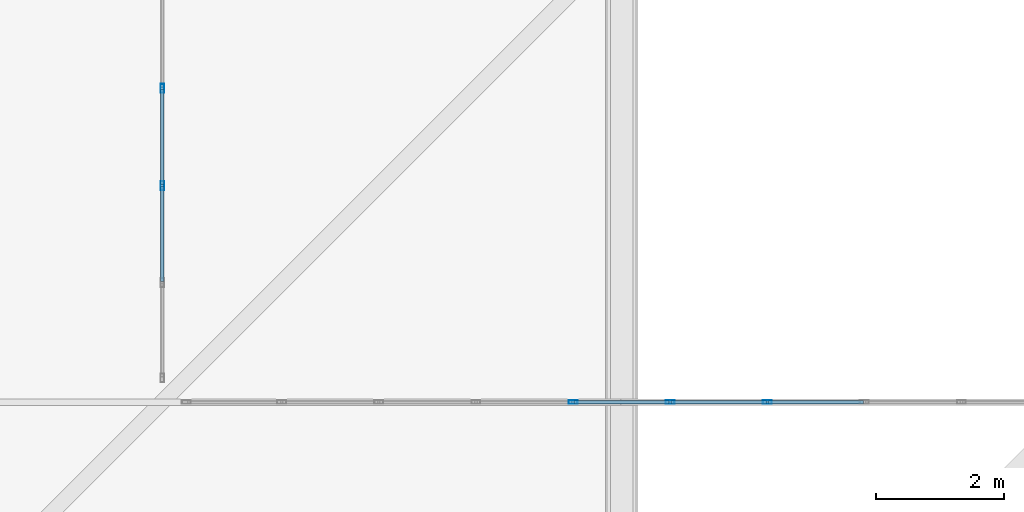
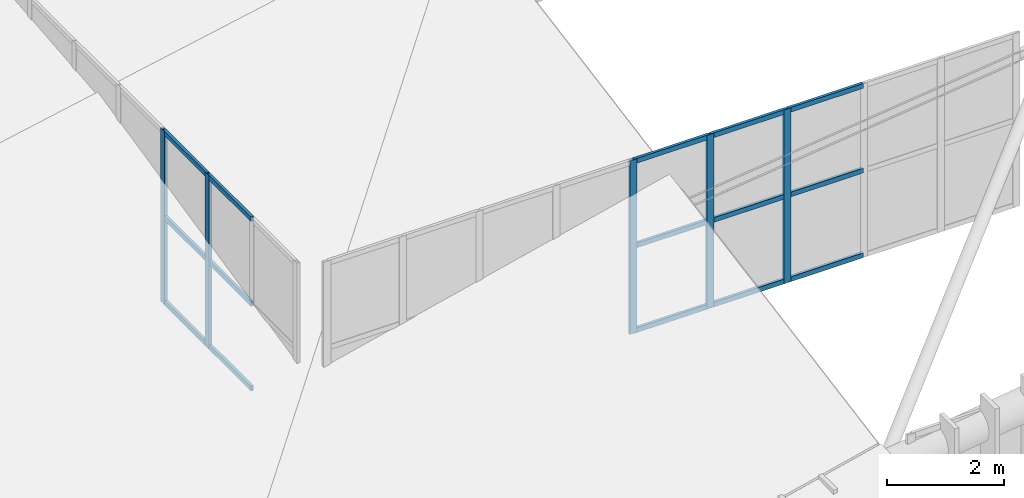
# One storey, part 15 of 397: 20 members, 2 elements without a shape of their own.
"""IFC4 building model written with IfcOpenShell, lengths in metres."""

from ifc_helpers import new_model, si_unit, direction, frame, origin, origin_2d, place, context, subcontext, project, spatial, hollow_rectangle, extrude, material, material_profile, profile_set, type_object, element, aggregate, save


model = new_model("IFC4")

# Units and contexts
model_context = context("Model", 3, precision=1e-05, world=origin(), true_north=direction((0.0, 1.0)))
body_context = subcontext(model_context, "Body", "Model", "MODEL_VIEW")
ifc_project = project(units=[si_unit("LENGTHUNIT", "METRE"), si_unit("AREAUNIT", "SQUARE_METRE"), si_unit("VOLUMEUNIT", "CUBIC_METRE"), si_unit("PLANEANGLEUNIT", "RADIAN"), si_unit("MASSUNIT", "GRAM", prefix="KILO")], contexts=[model_context])

# Site, building, storey
site_placement = place(None, origin())
site = spatial("IfcSite", under=ifc_project, at=site_placement, CompositionType="ELEMENT")
building_placement = place(site_placement, origin())
building = spatial("IfcBuilding", under=site, at=building_placement, Name="Qandorah Velis Arena", CompositionType="ELEMENT")
storey_placement = place(building_placement, frame((0.0, 0.0, 27.5)))
storey = spatial("IfcBuildingStorey", under=building, at=storey_placement, Name="RF", CompositionType="ELEMENT", Elevation=27.5)

# Curtain wall, members
ifc_material_1 = material(Name="Solar-control low-E double glazing", Category="glass")
curtain_wall_type_1 = type_object("IfcCurtainWallType", Name="ARC-CW-SYS07", PredefinedType="USERDEFINED", material=ifc_material_1)
curtain_wall_1_placement = place(storey_placement, origin())
curtain_wall_1 = element("IfcCurtainWall", 1, at=curtain_wall_1_placement, inside=storey, type_object=curtain_wall_type_1, Name="Unitised curtain wall MON-1-1", ObjectType="UNITISED CURTAIN WALL", PredefinedType="USERDEFINED")
ifc_material_2 = material(Name="Champagne-bronze anodized aluminium 6063-T6", Category="aluminium")
ifc_material_profile_1 = material_profile(ifc_material_2, hollow_rectangle(XDim=0.054931640625, YDim=0.139892578125, WallThickness=0.0029296875, at=origin_2d()), Name="ALU MULLION 55x140")
ifc_profile_set_1 = profile_set([ifc_material_profile_1], Name="Champagne-bronze anodized aluminium 6063-T6")
member_type_1 = type_object("IfcMemberType", Name="ARC-CWM-140", PredefinedType="MULLION", material=ifc_profile_set_1)
member_1_placement = place(storey_placement, frame((21.60009765625, 24.994384765625, 3.5263671875), z_axis=(0.0, 0.0, 1.0), x_axis=(-1.0, 0.0, 0.0)))
member_1 = element("IfcMember", 2, at=member_1_placement, type_object=member_type_1, Name="CW07 mullion 3", PredefinedType="MULLION", context=body_context, shape_type="SweptSolid", body=[
    extrude(hollow_rectangle(XDim=0.054931640625, YDim=0.139892578125, WallThickness=0.0029296875, at=origin_2d()), origin(), (0.0, 0.0, 1.0), 3.630126953125),
])
member_2_placement = place(storey_placement, frame((21.60009765625, 26.5166015625, 3.5263671875), z_axis=(0.0, 0.0, 1.0), x_axis=(-1.0, 0.0, 0.0)))
member_2 = element("IfcMember", 3, at=member_2_placement, type_object=member_type_1, Name="CW07 mullion 4", PredefinedType="MULLION", context=body_context, shape_type="SweptSolid", body=[
    extrude(hollow_rectangle(XDim=0.054931640625, YDim=0.139892578125, WallThickness=0.0029296875, at=origin_2d()), origin(), (0.0, 0.0, 1.0), 3.630126953125),
])

curtain_wall_type_2 = type_object("IfcCurtainWallType", Name="ARC-CW-SYS19", PredefinedType="USERDEFINED", material=ifc_material_1)
curtain_wall_2_placement = place(storey_placement, origin())
curtain_wall_2 = element("IfcCurtainWall", 4, at=curtain_wall_2_placement, inside=storey, type_object=curtain_wall_type_2, Name="Unitised curtain wall MON-3-1", ObjectType="UNITISED CURTAIN WALL", PredefinedType="USERDEFINED")
member_3_placement = place(storey_placement, frame((28.038818359375, 21.60009765625, 3.625732421875), z_axis=(0.0, 0.0, 1.0), x_axis=(0.0, 1.0, 0.0)))
member_3 = element("IfcMember", 5, at=member_3_placement, type_object=member_type_1, Name="CW19 mullion 5", PredefinedType="MULLION", context=body_context, shape_type="SweptSolid", body=[
    extrude(hollow_rectangle(XDim=0.054931640625, YDim=0.139892578125, WallThickness=0.0029296875, at=origin_2d()), origin(), (0.0, 0.0, 1.0), 3.630126953125),
])
member_4_placement = place(storey_placement, frame((29.56103515625, 21.60009765625, 3.625732421875), z_axis=(0.0, 0.0, 1.0), x_axis=(0.0, 1.0, 0.0)))
member_4 = element("IfcMember", 6, at=member_4_placement, type_object=member_type_1, Name="CW19 mullion 6", PredefinedType="MULLION", context=body_context, shape_type="SweptSolid", body=[
    extrude(hollow_rectangle(XDim=0.054931640625, YDim=0.139892578125, WallThickness=0.0029296875, at=origin_2d()), origin(), (0.0, 0.0, 1.0), 3.630126953125),
])
member_5_placement = place(storey_placement, frame((31.083251953125, 21.60009765625, 3.625732421875), z_axis=(0.0, 0.0, 1.0), x_axis=(0.0, 1.0, 0.0)))
member_5 = element("IfcMember", 7, at=member_5_placement, type_object=member_type_1, Name="CW19 mullion 7", PredefinedType="MULLION", context=body_context, shape_type="SweptSolid", body=[
    extrude(hollow_rectangle(XDim=0.054931640625, YDim=0.139892578125, WallThickness=0.0029296875, at=origin_2d()), origin(), (0.0, 0.0, 1.0), 3.630126953125),
])

# Member
ifc_material_profile_2 = material_profile(ifc_material_2, hollow_rectangle(XDim=0.054931640625, YDim=0.10009765625, WallThickness=0.0029296875, at=origin_2d()), Name="ALU TRANSOM 55x100")
ifc_profile_set_2 = profile_set([ifc_material_profile_2], Name="Champagne-bronze anodized aluminium 6063-T6")
member_type_2 = type_object("IfcMemberType", Name="ARC-CWT-100", PredefinedType="USERDEFINED", material=ifc_profile_set_2)
member_6_placement = place(storey_placement, frame((21.60009765625, 23.48779296875, 3.56884765625), z_axis=(0.0, 1.0, 0.0), x_axis=(-1.0, 0.0, 0.0)))
member_6 = element("IfcMember", 8, at=member_6_placement, type_object=member_type_2, Name="CW07 transom 2.1", ObjectType="TRANSOM", PredefinedType="USERDEFINED", context=body_context, shape_type="SweptSolid", body=[
    extrude(hollow_rectangle(XDim=0.054931640625, YDim=0.10009765625, WallThickness=0.0029296875, at=origin_2d()), origin(), (0.0, 0.0, 1.0), 1.4912109375),
])

member_7_placement = place(storey_placement, frame((21.60009765625, 23.48779296875, 5.34130859375), z_axis=(0.0, 1.0, 0.0), x_axis=(-1.0, 0.0, 0.0)))
member_7 = element("IfcMember", 9, at=member_7_placement, type_object=member_type_2, Name="CW07 transom 2.2", ObjectType="TRANSOM", PredefinedType="USERDEFINED", context=body_context, shape_type="SweptSolid", body=[
    extrude(hollow_rectangle(XDim=0.054931640625, YDim=0.10009765625, WallThickness=0.0029296875, at=origin_2d()), origin(), (0.0, 0.0, 1.0), 1.4912109375),
])

member_8_placement = place(storey_placement, frame((21.60009765625, 23.48779296875, 7.114013671875), z_axis=(0.0, 1.0, 0.0), x_axis=(-1.0, 0.0, 0.0)))
member_8 = element("IfcMember", 10, at=member_8_placement, type_object=member_type_2, Name="CW07 transom 2.3", ObjectType="TRANSOM", PredefinedType="USERDEFINED", context=body_context, shape_type="SweptSolid", body=[
    extrude(hollow_rectangle(XDim=0.054931640625, YDim=0.10009765625, WallThickness=0.0029296875, at=origin_2d()), origin(), (0.0, 0.0, 1.0), 1.4912109375),
])

member_9_placement = place(storey_placement, frame((21.60009765625, 25.010009765625, 3.56884765625), z_axis=(0.0, 1.0, 0.0), x_axis=(-1.0, 0.0, 0.0)))
member_9 = element("IfcMember", 11, at=member_9_placement, type_object=member_type_2, Name="CW07 transom 3.1", ObjectType="TRANSOM", PredefinedType="USERDEFINED", context=body_context, shape_type="SweptSolid", body=[
    extrude(hollow_rectangle(XDim=0.054931640625, YDim=0.10009765625, WallThickness=0.0029296875, at=origin_2d()), origin(), (0.0, 0.0, 1.0), 1.4912109375),
])

member_10_placement = place(storey_placement, frame((21.60009765625, 25.010009765625, 5.34130859375), z_axis=(0.0, 1.0, 0.0), x_axis=(-1.0, 0.0, 0.0)))
member_10 = element("IfcMember", 12, at=member_10_placement, type_object=member_type_2, Name="CW07 transom 3.2", ObjectType="TRANSOM", PredefinedType="USERDEFINED", context=body_context, shape_type="SweptSolid", body=[
    extrude(hollow_rectangle(XDim=0.054931640625, YDim=0.10009765625, WallThickness=0.0029296875, at=origin_2d()), origin(), (0.0, 0.0, 1.0), 1.4912109375),
])

member_11_placement = place(storey_placement, frame((21.60009765625, 25.010009765625, 7.114013671875), z_axis=(0.0, 1.0, 0.0), x_axis=(-1.0, 0.0, 0.0)))
member_11 = element("IfcMember", 13, at=member_11_placement, type_object=member_type_2, Name="CW07 transom 3.3", ObjectType="TRANSOM", PredefinedType="USERDEFINED", context=body_context, shape_type="SweptSolid", body=[
    extrude(hollow_rectangle(XDim=0.054931640625, YDim=0.10009765625, WallThickness=0.0029296875, at=origin_2d()), origin(), (0.0, 0.0, 1.0), 1.4912109375),
])

aggregate(curtain_wall_1, [member_1, member_2, member_6, member_7, member_8, member_9, member_10, member_11])

member_12_placement = place(storey_placement, frame((28.054443359375, 21.60009765625, 3.668212890625), z_axis=(1.0, 0.0, 0.0), x_axis=(0.0, 1.0, 0.0)))
member_12 = element("IfcMember", 14, at=member_12_placement, type_object=member_type_2, Name="CW19 transom 5.1", ObjectType="TRANSOM", PredefinedType="USERDEFINED", context=body_context, shape_type="SweptSolid", body=[
    extrude(hollow_rectangle(XDim=0.054931640625, YDim=0.10009765625, WallThickness=0.0029296875, at=origin_2d()), origin(), (0.0, 0.0, 1.0), 1.4912109375),
])

member_13_placement = place(storey_placement, frame((28.054443359375, 21.60009765625, 5.44091796875), z_axis=(1.0, 0.0, 0.0), x_axis=(0.0, 1.0, 0.0)))
member_13 = element("IfcMember", 15, at=member_13_placement, type_object=member_type_2, Name="CW19 transom 5.2", ObjectType="TRANSOM", PredefinedType="USERDEFINED", context=body_context, shape_type="SweptSolid", body=[
    extrude(hollow_rectangle(XDim=0.054931640625, YDim=0.10009765625, WallThickness=0.0029296875, at=origin_2d()), origin(), (0.0, 0.0, 1.0), 1.4912109375),
])

member_14_placement = place(storey_placement, frame((28.054443359375, 21.60009765625, 7.21337890625), z_axis=(1.0, 0.0, 0.0), x_axis=(0.0, 1.0, 0.0)))
member_14 = element("IfcMember", 16, at=member_14_placement, type_object=member_type_2, Name="CW19 transom 5.3", ObjectType="TRANSOM", PredefinedType="USERDEFINED", context=body_context, shape_type="SweptSolid", body=[
    extrude(hollow_rectangle(XDim=0.054931640625, YDim=0.10009765625, WallThickness=0.0029296875, at=origin_2d()), origin(), (0.0, 0.0, 1.0), 1.4912109375),
])

member_15_placement = place(storey_placement, frame((29.57666015625, 21.60009765625, 3.668212890625), z_axis=(1.0, 0.0, 0.0), x_axis=(0.0, 1.0, 0.0)))
member_15 = element("IfcMember", 17, at=member_15_placement, type_object=member_type_2, Name="CW19 transom 6.1", ObjectType="TRANSOM", PredefinedType="USERDEFINED", context=body_context, shape_type="SweptSolid", body=[
    extrude(hollow_rectangle(XDim=0.054931640625, YDim=0.10009765625, WallThickness=0.0029296875, at=origin_2d()), origin(), (0.0, 0.0, 1.0), 1.4912109375),
])

member_16_placement = place(storey_placement, frame((29.57666015625, 21.60009765625, 5.44091796875), z_axis=(1.0, 0.0, 0.0), x_axis=(0.0, 1.0, 0.0)))
member_16 = element("IfcMember", 18, at=member_16_placement, type_object=member_type_2, Name="CW19 transom 6.2", ObjectType="TRANSOM", PredefinedType="USERDEFINED", context=body_context, shape_type="SweptSolid", body=[
    extrude(hollow_rectangle(XDim=0.054931640625, YDim=0.10009765625, WallThickness=0.0029296875, at=origin_2d()), origin(), (0.0, 0.0, 1.0), 1.4912109375),
])

member_17_placement = place(storey_placement, frame((29.57666015625, 21.60009765625, 7.21337890625), z_axis=(1.0, 0.0, 0.0), x_axis=(0.0, 1.0, 0.0)))
member_17 = element("IfcMember", 19, at=member_17_placement, type_object=member_type_2, Name="CW19 transom 6.3", ObjectType="TRANSOM", PredefinedType="USERDEFINED", context=body_context, shape_type="SweptSolid", body=[
    extrude(hollow_rectangle(XDim=0.054931640625, YDim=0.10009765625, WallThickness=0.0029296875, at=origin_2d()), origin(), (0.0, 0.0, 1.0), 1.4912109375),
])

member_18_placement = place(storey_placement, frame((31.098876953125, 21.60009765625, 3.668212890625), z_axis=(1.0, 0.0, 0.0), x_axis=(0.0, 1.0, 0.0)))
member_18 = element("IfcMember", 20, at=member_18_placement, type_object=member_type_2, Name="CW19 transom 7.1", ObjectType="TRANSOM", PredefinedType="USERDEFINED", context=body_context, shape_type="SweptSolid", body=[
    extrude(hollow_rectangle(XDim=0.054931640625, YDim=0.10009765625, WallThickness=0.0029296875, at=origin_2d()), origin(), (0.0, 0.0, 1.0), 1.4912109375),
])

member_19_placement = place(storey_placement, frame((31.098876953125, 21.60009765625, 5.44091796875), z_axis=(1.0, 0.0, 0.0), x_axis=(0.0, 1.0, 0.0)))
member_19 = element("IfcMember", 21, at=member_19_placement, type_object=member_type_2, Name="CW19 transom 7.2", ObjectType="TRANSOM", PredefinedType="USERDEFINED", context=body_context, shape_type="SweptSolid", body=[
    extrude(hollow_rectangle(XDim=0.054931640625, YDim=0.10009765625, WallThickness=0.0029296875, at=origin_2d()), origin(), (0.0, 0.0, 1.0), 1.4912109375),
])

member_20_placement = place(storey_placement, frame((31.098876953125, 21.60009765625, 7.21337890625), z_axis=(1.0, 0.0, 0.0), x_axis=(0.0, 1.0, 0.0)))
member_20 = element("IfcMember", 22, at=member_20_placement, type_object=member_type_2, Name="CW19 transom 7.3", ObjectType="TRANSOM", PredefinedType="USERDEFINED", context=body_context, shape_type="SweptSolid", body=[
    extrude(hollow_rectangle(XDim=0.054931640625, YDim=0.10009765625, WallThickness=0.0029296875, at=origin_2d()), origin(), (0.0, 0.0, 1.0), 1.4912109375),
])

aggregate(curtain_wall_2, [member_3, member_4, member_5, member_12, member_13, member_14, member_15, member_16, member_17, member_18, member_19, member_20])

save(model, "model.ifc")
